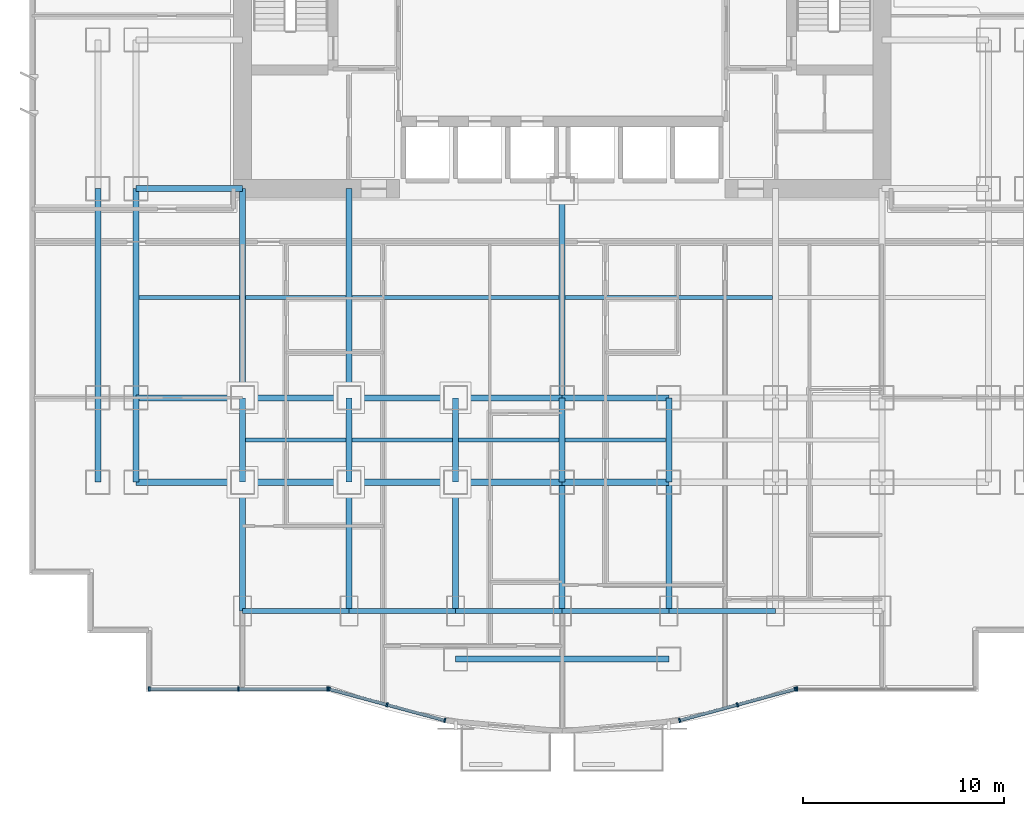
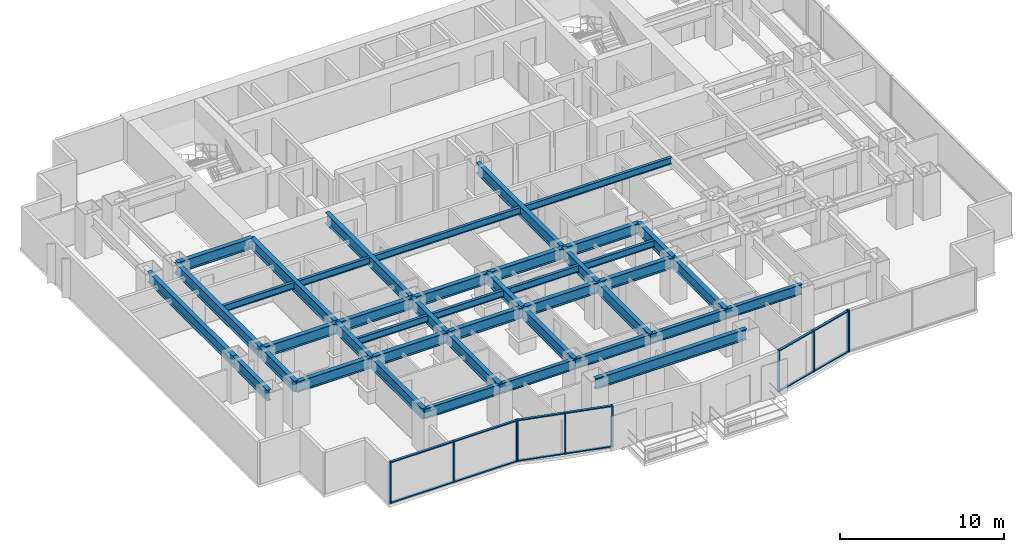
# One storey, part 2 of 12: 42 beams, 22 members, 4 elements without a shape of their own.
"""IFC4 building model written with IfcOpenShell, lengths in metres."""

from ifc_helpers import new_model, si_unit, direction, frame, origin, origin_2d, place, context, subcontext, project, spatial, rectangle, i_section, extrude, source, transform, mapped, material, layer, layer_set, material_profile, profile_set, type_object, element, aggregate, save


model = new_model("IFC4")

# Units and contexts
model_context = context("Model", 3, precision=1e-05, world=origin(), true_north=direction((0.0, 1.0)))
body_context = subcontext(model_context, "Body", "Model", "MODEL_VIEW")
ifc_project = project(units=[si_unit("LENGTHUNIT", "METRE"), si_unit("AREAUNIT", "SQUARE_METRE"), si_unit("VOLUMEUNIT", "CUBIC_METRE"), si_unit("PLANEANGLEUNIT", "RADIAN"), si_unit("MASSUNIT", "GRAM", prefix="KILO")], contexts=[model_context])

# Site, building, storey
site_placement = place(None, origin())
site = spatial("IfcSite", under=ifc_project, at=site_placement, CompositionType="ELEMENT")
building_placement = place(site_placement, origin())
building = spatial("IfcBuilding", under=site, at=building_placement, Name="Qianlan Lanfeng Residences", CompositionType="ELEMENT")
storey_placement = place(building_placement, frame((0.0, 0.0, 47.300048828125)))
storey = spatial("IfcBuildingStorey", under=building, at=storey_placement, Name="L12", CompositionType="ELEMENT", Elevation=47.300048828125)

# Beams
ifc_material_1 = material(Name="Steel SN490B", Category="steel")
ifc_material_profile_1 = material_profile(ifc_material_1, i_section(OverallWidth=0.300048828125, OverallDepth=0.800048828125, WebThickness=0.01611328125, FlangeThickness=0.028076171875, at=origin_2d()), Name="H 800x300x16x28")
ifc_profile_set_1 = profile_set([ifc_material_profile_1], Name="Steel SN490B")
beam_type_1 = type_object("IfcBeamType", Name="G-950", PredefinedType="BEAM", material=ifc_profile_set_1)
beam_1_placement = place(storey_placement, frame((21.199951171875, 1.800048828125, 2.679931640625), z_axis=(1.0, 0.0, 0.0), x_axis=(0.0, 1.0, 0.0)))
element("IfcBeam", 1, at=beam_1_placement, inside=storey, type_object=beam_type_1, Name="Structural beam G-950", PredefinedType="BEAM", context=body_context, shape_type="SweptSolid", body=[
    extrude(i_section(OverallWidth=0.300048828125, OverallDepth=0.800048828125, WebThickness=0.01611328125, FlangeThickness=0.028076171875, at=origin_2d()), origin(), (0.0, 0.0, 1.0), 10.60009765625),
])
beam_2_placement = place(storey_placement, frame((5.300048828125, 10.60009765625, 2.679931640625), z_axis=(1.0, 0.0, 0.0), x_axis=(0.0, 1.0, 0.0)))
element("IfcBeam", 2, at=beam_2_placement, inside=storey, type_object=beam_type_1, Name="Structural beam G-950", PredefinedType="BEAM", context=body_context, shape_type="SweptSolid", body=[
    extrude(i_section(OverallWidth=0.300048828125, OverallDepth=0.800048828125, WebThickness=0.01611328125, FlangeThickness=0.028076171875, at=origin_2d()), origin(), (0.0, 0.0, 1.0), 5.300048828125),
])
beam_3_placement = place(storey_placement, frame((10.60009765625, 10.60009765625, 2.679931640625), z_axis=(1.0, 0.0, 0.0), x_axis=(0.0, 1.0, 0.0)))
element("IfcBeam", 3, at=beam_3_placement, inside=storey, type_object=beam_type_1, Name="Structural beam G-950", PredefinedType="BEAM", context=body_context, shape_type="SweptSolid", body=[
    extrude(i_section(OverallWidth=0.300048828125, OverallDepth=0.800048828125, WebThickness=0.01611328125, FlangeThickness=0.028076171875, at=origin_2d()), origin(), (0.0, 0.0, 1.0), 5.2998046875),
])
for number, where, z_axis, x_axis, name in (
    (4, (15.89990234375, 10.60009765625, 2.679931640625), (1.0, 0.0, 0.0), (0.0, 1.0, 0.0), "Structural beam G-950"),
    (5, (21.199951171875, 10.60009765625, 2.679931640625), (1.0, 0.0, 0.0), (0.0, 1.0, 0.0), "Structural beam G-950"),
    (6, (26.5, 10.60009765625, 2.679931640625), (1.0, 0.0, 0.0), (0.0, 1.0, 0.0), "Structural beam G-950"),
    (7, (5.300048828125, 14.800048828125, 2.679931640625), (1.0, 0.0, 0.0), (0.0, 1.0, 0.0), "Structural beam G-950"),
):
    element("IfcBeam", number, at=place(storey_placement, frame(where, z_axis=z_axis, x_axis=x_axis)), inside=storey, type_object=beam_type_1, Name=name, PredefinedType="BEAM", context=body_context, shape_type="SweptSolid", body=[
        extrude(i_section(OverallWidth=0.300048828125, OverallDepth=0.800048828125, WebThickness=0.01611328125, FlangeThickness=0.028076171875, at=origin_2d()), origin(), (0.0, 0.0, 1.0), 5.300048828125),
    ])
beam_4_placement = place(storey_placement, frame((10.60009765625, 14.800048828125, 2.679931640625), z_axis=(1.0, 0.0, 0.0), x_axis=(0.0, 1.0, 0.0)))
element("IfcBeam", 8, at=beam_4_placement, inside=storey, type_object=beam_type_1, Name="Structural beam G-950", PredefinedType="BEAM", context=body_context, shape_type="SweptSolid", body=[
    extrude(i_section(OverallWidth=0.300048828125, OverallDepth=0.800048828125, WebThickness=0.01611328125, FlangeThickness=0.028076171875, at=origin_2d()), origin(), (0.0, 0.0, 1.0), 5.2998046875),
])
for number, where, z_axis, x_axis, name in (
    (9, (15.89990234375, 14.800048828125, 2.679931640625), (1.0, 0.0, 0.0), (0.0, 1.0, 0.0), "Structural beam G-950"),
    (10, (21.199951171875, 14.800048828125, 2.679931640625), (1.0, 0.0, 0.0), (0.0, 1.0, 0.0), "Structural beam G-950"),
    (11, (26.5, 14.800048828125, 2.679931640625), (1.0, 0.0, 0.0), (0.0, 1.0, 0.0), "Structural beam G-950"),
    (12, (5.300048828125, 25.199951171875, 2.679931640625), (1.0, 0.0, 0.0), (0.0, 1.0, 0.0), "Structural beam G-950"),
):
    element("IfcBeam", number, at=place(storey_placement, frame(where, z_axis=z_axis, x_axis=x_axis)), inside=storey, type_object=beam_type_1, Name=name, PredefinedType="BEAM", context=body_context, shape_type="SweptSolid", body=[
        extrude(i_section(OverallWidth=0.300048828125, OverallDepth=0.800048828125, WebThickness=0.01611328125, FlangeThickness=0.028076171875, at=origin_2d()), origin(), (0.0, 0.0, 1.0), 5.300048828125),
    ])
beam_5_placement = place(storey_placement, frame((3.39990234375, 10.60009765625, 2.679931640625), z_axis=(0.0, 1.0, 0.0), x_axis=(-1.0, 0.0, 0.0)))
element("IfcBeam", 13, at=beam_5_placement, inside=storey, type_object=beam_type_1, Name="Structural beam G-950", PredefinedType="BEAM", context=body_context, shape_type="SweptSolid", body=[
    extrude(i_section(OverallWidth=0.300048828125, OverallDepth=0.800048828125, WebThickness=0.01611328125, FlangeThickness=0.028076171875, at=origin_2d()), origin(), (0.0, 0.0, 1.0), 4.199951171875),
])
beam_6_placement = place(storey_placement, frame((3.39990234375, 14.800048828125, 2.679931640625), z_axis=(0.0, 1.0, 0.0), x_axis=(-1.0, 0.0, 0.0)))
element("IfcBeam", 14, at=beam_6_placement, inside=storey, type_object=beam_type_1, Name="Structural beam G-950", PredefinedType="BEAM", context=body_context, shape_type="SweptSolid", body=[
    extrude(i_section(OverallWidth=0.300048828125, OverallDepth=0.800048828125, WebThickness=0.01611328125, FlangeThickness=0.028076171875, at=origin_2d()), origin(), (0.0, 0.0, 1.0), 10.39990234375),
])
beam_7_placement = place(storey_placement, frame((5.300048828125, 10.60009765625, 2.679931640625), z_axis=(0.0, 1.0, 0.0), x_axis=(-1.0, 0.0, 0.0)))
element("IfcBeam", 15, at=beam_7_placement, inside=storey, type_object=beam_type_1, Name="Structural beam G-950", PredefinedType="BEAM", context=body_context, shape_type="SweptSolid", body=[
    extrude(i_section(OverallWidth=0.300048828125, OverallDepth=0.800048828125, WebThickness=0.01611328125, FlangeThickness=0.028076171875, at=origin_2d()), origin(), (0.0, 0.0, 1.0), 4.199951171875),
])
beam_8_placement = place(storey_placement, frame((5.300048828125, 14.800048828125, 2.679931640625), z_axis=(0.0, 1.0, 0.0), x_axis=(-1.0, 0.0, 0.0)))
element("IfcBeam", 16, at=beam_8_placement, inside=storey, type_object=beam_type_1, Name="Structural beam G-950", PredefinedType="BEAM", context=body_context, shape_type="SweptSolid", body=[
    extrude(i_section(OverallWidth=0.300048828125, OverallDepth=0.800048828125, WebThickness=0.01611328125, FlangeThickness=0.028076171875, at=origin_2d()), origin(), (0.0, 0.0, 1.0), 10.39990234375),
])
beam_9_placement = place(storey_placement, frame((10.60009765625, 4.199951171875, 2.679931640625), z_axis=(0.0, 1.0, 0.0), x_axis=(-1.0, 0.0, 0.0)))
element("IfcBeam", 17, at=beam_9_placement, inside=storey, type_object=beam_type_1, Name="Structural beam G-950", PredefinedType="BEAM", context=body_context, shape_type="SweptSolid", body=[
    extrude(i_section(OverallWidth=0.300048828125, OverallDepth=0.800048828125, WebThickness=0.01611328125, FlangeThickness=0.028076171875, at=origin_2d()), origin(), (0.0, 0.0, 1.0), 6.400146484375),
])
beam_10_placement = place(storey_placement, frame((10.60009765625, 10.60009765625, 2.679931640625), z_axis=(0.0, 1.0, 0.0), x_axis=(-1.0, 0.0, 0.0)))
element("IfcBeam", 18, at=beam_10_placement, inside=storey, type_object=beam_type_1, Name="Structural beam G-950", PredefinedType="BEAM", context=body_context, shape_type="SweptSolid", body=[
    extrude(i_section(OverallWidth=0.300048828125, OverallDepth=0.800048828125, WebThickness=0.01611328125, FlangeThickness=0.028076171875, at=origin_2d()), origin(), (0.0, 0.0, 1.0), 4.199951171875),
])
beam_11_placement = place(storey_placement, frame((10.60009765625, 14.800048828125, 2.679931640625), z_axis=(0.0, 1.0, 0.0), x_axis=(-1.0, 0.0, 0.0)))
element("IfcBeam", 19, at=beam_11_placement, inside=storey, type_object=beam_type_1, Name="Structural beam G-950", PredefinedType="BEAM", context=body_context, shape_type="SweptSolid", body=[
    extrude(i_section(OverallWidth=0.300048828125, OverallDepth=0.800048828125, WebThickness=0.01611328125, FlangeThickness=0.028076171875, at=origin_2d()), origin(), (0.0, 0.0, 1.0), 10.39990234375),
])
beam_12_placement = place(storey_placement, frame((15.89990234375, 4.199951171875, 2.679931640625), z_axis=(0.0, 1.0, 0.0), x_axis=(-1.0, 0.0, 0.0)))
element("IfcBeam", 20, at=beam_12_placement, inside=storey, type_object=beam_type_1, Name="Structural beam G-950", PredefinedType="BEAM", context=body_context, shape_type="SweptSolid", body=[
    extrude(i_section(OverallWidth=0.300048828125, OverallDepth=0.800048828125, WebThickness=0.01611328125, FlangeThickness=0.028076171875, at=origin_2d()), origin(), (0.0, 0.0, 1.0), 6.400146484375),
])
beam_13_placement = place(storey_placement, frame((15.89990234375, 10.60009765625, 2.679931640625), z_axis=(0.0, 1.0, 0.0), x_axis=(-1.0, 0.0, 0.0)))
element("IfcBeam", 21, at=beam_13_placement, inside=storey, type_object=beam_type_1, Name="Structural beam G-950", PredefinedType="BEAM", context=body_context, shape_type="SweptSolid", body=[
    extrude(i_section(OverallWidth=0.300048828125, OverallDepth=0.800048828125, WebThickness=0.01611328125, FlangeThickness=0.028076171875, at=origin_2d()), origin(), (0.0, 0.0, 1.0), 4.199951171875),
])
beam_14_placement = place(storey_placement, frame((15.89990234375, 14.800048828125, 2.679931640625), z_axis=(0.0, 1.0, 0.0), x_axis=(-1.0, 0.0, 0.0)))
element("IfcBeam", 22, at=beam_14_placement, inside=storey, type_object=beam_type_1, Name="Structural beam G-950", PredefinedType="BEAM", context=body_context, shape_type="SweptSolid", body=[
    extrude(i_section(OverallWidth=0.300048828125, OverallDepth=0.800048828125, WebThickness=0.01611328125, FlangeThickness=0.028076171875, at=origin_2d()), origin(), (0.0, 0.0, 1.0), 10.39990234375),
])
beam_15_placement = place(storey_placement, frame((21.199951171875, 4.199951171875, 2.679931640625), z_axis=(0.0, 1.0, 0.0), x_axis=(-1.0, 0.0, 0.0)))
element("IfcBeam", 23, at=beam_15_placement, inside=storey, type_object=beam_type_1, Name="Structural beam G-950", PredefinedType="BEAM", context=body_context, shape_type="SweptSolid", body=[
    extrude(i_section(OverallWidth=0.300048828125, OverallDepth=0.800048828125, WebThickness=0.01611328125, FlangeThickness=0.028076171875, at=origin_2d()), origin(), (0.0, 0.0, 1.0), 6.400146484375),
])
beam_16_placement = place(storey_placement, frame((21.199951171875, 10.60009765625, 2.679931640625), z_axis=(0.0, 1.0, 0.0), x_axis=(-1.0, 0.0, 0.0)))
element("IfcBeam", 24, at=beam_16_placement, inside=storey, type_object=beam_type_1, Name="Structural beam G-950", PredefinedType="BEAM", context=body_context, shape_type="SweptSolid", body=[
    extrude(i_section(OverallWidth=0.300048828125, OverallDepth=0.800048828125, WebThickness=0.01611328125, FlangeThickness=0.028076171875, at=origin_2d()), origin(), (0.0, 0.0, 1.0), 4.199951171875),
])
beam_17_placement = place(storey_placement, frame((26.5, 4.199951171875, 2.679931640625), z_axis=(0.0, 1.0, 0.0), x_axis=(-1.0, 0.0, 0.0)))
element("IfcBeam", 25, at=beam_17_placement, inside=storey, type_object=beam_type_1, Name="Structural beam G-950", PredefinedType="BEAM", context=body_context, shape_type="SweptSolid", body=[
    extrude(i_section(OverallWidth=0.300048828125, OverallDepth=0.800048828125, WebThickness=0.01611328125, FlangeThickness=0.028076171875, at=origin_2d()), origin(), (0.0, 0.0, 1.0), 6.400146484375),
])
beam_18_placement = place(storey_placement, frame((26.5, 10.60009765625, 2.679931640625), z_axis=(0.0, 1.0, 0.0), x_axis=(-1.0, 0.0, 0.0)))
element("IfcBeam", 26, at=beam_18_placement, inside=storey, type_object=beam_type_1, Name="Structural beam G-950", PredefinedType="BEAM", context=body_context, shape_type="SweptSolid", body=[
    extrude(i_section(OverallWidth=0.300048828125, OverallDepth=0.800048828125, WebThickness=0.01611328125, FlangeThickness=0.028076171875, at=origin_2d()), origin(), (0.0, 0.0, 1.0), 4.199951171875),
])
beam_19_placement = place(storey_placement, frame((26.5, 14.800048828125, 2.679931640625), z_axis=(0.0, 1.0, 0.0), x_axis=(-1.0, 0.0, 0.0)))
element("IfcBeam", 27, at=beam_19_placement, inside=storey, type_object=beam_type_1, Name="Structural beam G-950", PredefinedType="BEAM", context=body_context, shape_type="SweptSolid", body=[
    extrude(i_section(OverallWidth=0.300048828125, OverallDepth=0.800048828125, WebThickness=0.01611328125, FlangeThickness=0.028076171875, at=origin_2d()), origin(), (0.0, 0.0, 1.0), 10.39990234375),
])
beam_20_placement = place(storey_placement, frame((31.800048828125, 4.199951171875, 2.679931640625), z_axis=(0.0, 1.0, 0.0), x_axis=(-1.0, 0.0, 0.0)))
element("IfcBeam", 28, at=beam_20_placement, inside=storey, type_object=beam_type_1, Name="Structural beam G-950", PredefinedType="BEAM", context=body_context, shape_type="SweptSolid", body=[
    extrude(i_section(OverallWidth=0.300048828125, OverallDepth=0.800048828125, WebThickness=0.01611328125, FlangeThickness=0.028076171875, at=origin_2d()), origin(), (0.0, 0.0, 1.0), 6.400146484375),
])
beam_21_placement = place(storey_placement, frame((31.800048828125, 10.60009765625, 2.679931640625), z_axis=(0.0, 1.0, 0.0), x_axis=(-1.0, 0.0, 0.0)))
element("IfcBeam", 29, at=beam_21_placement, inside=storey, type_object=beam_type_1, Name="Structural beam G-950", PredefinedType="BEAM", context=body_context, shape_type="SweptSolid", body=[
    extrude(i_section(OverallWidth=0.300048828125, OverallDepth=0.800048828125, WebThickness=0.01611328125, FlangeThickness=0.028076171875, at=origin_2d()), origin(), (0.0, 0.0, 1.0), 4.199951171875),
])
ifc_material_profile_2 = material_profile(ifc_material_1, i_section(OverallWidth=0.199951171875, OverallDepth=0.5, WebThickness=0.010009765625, FlangeThickness=0.01611328125, at=origin_2d()), Name="H 500x200x10x16")
ifc_profile_set_2 = profile_set([ifc_material_profile_2], Name="Steel SN490B")
beam_type_2 = type_object("IfcBeamType", Name="J-500", PredefinedType="JOIST", material=ifc_profile_set_2)
for number, where, z_axis, x_axis, name in (
    (30, (10.75, 12.699951171875, 2.829833984375), (1.0, 0.0, 0.0), (0.0, 1.0, 0.0), "Structural beam J-500"),
    (31, (16.050048828125, 12.699951171875, 2.829833984375), (1.0, 0.0, 0.0), (0.0, 1.0, 0.0), "Structural beam J-500"),
    (32, (21.35009765625, 12.699951171875, 2.829833984375), (1.0, 0.0, 0.0), (0.0, 1.0, 0.0), "Structural beam J-500"),
    (33, (26.64990234375, 12.699951171875, 2.829833984375), (1.0, 0.0, 0.0), (0.0, 1.0, 0.0), "Structural beam J-500"),
    (34, (5.449951171875, 19.800048828125, 2.829833984375), (1.0, 0.0, 0.0), (0.0, 1.0, 0.0), "Structural beam J-500"),
    (35, (10.75, 19.800048828125, 2.829833984375), (1.0, 0.0, 0.0), (0.0, 1.0, 0.0), "Structural beam J-500"),
):
    element("IfcBeam", number, at=place(storey_placement, frame(where, z_axis=z_axis, x_axis=x_axis)), inside=storey, type_object=beam_type_2, Name=name, PredefinedType="JOIST", context=body_context, shape_type="SweptSolid", body=[
        extrude(i_section(OverallWidth=0.199951171875, OverallDepth=0.5, WebThickness=0.010009765625, FlangeThickness=0.01611328125, at=origin_2d()), origin(), (0.0, 0.0, 1.0), 5.0),
    ])
for number, where, z_axis, x_axis, name in (
    (36, (16.050048828125, 19.800048828125, 2.829833984375), (1.0, 0.0, 0.0), (0.0, 1.0, 0.0), "Structural beam J-500"),
    (37, (26.64990234375, 19.800048828125, 2.829833984375), (1.0, 0.0, 0.0), (0.0, 1.0, 0.0), "Structural beam J-500"),
):
    element("IfcBeam", number, at=place(storey_placement, frame(where, z_axis=z_axis, x_axis=x_axis)), inside=storey, type_object=beam_type_2, Name=name, PredefinedType="JOIST", context=body_context, shape_type="SweptSolid", body=[
        extrude(i_section(OverallWidth=0.199951171875, OverallDepth=0.5, WebThickness=0.010009765625, FlangeThickness=0.01611328125, at=origin_2d()), origin(), (0.0, 0.0, 1.0), 10.300048828125),
    ])
ifc_material_profile_3 = material_profile(ifc_material_1, i_section(OverallWidth=0.25, OverallDepth=0.75, WebThickness=0.013916015625, FlangeThickness=0.02490234375, at=origin_2d()), Name="H 750x250x14x25")
ifc_profile_set_3 = profile_set([ifc_material_profile_3], Name="Steel SN490B")
beam_type_3 = type_object("IfcBeamType", Name="SG-850", PredefinedType="SPANDREL", material=ifc_profile_set_3)
beam_22_placement = place(storey_placement, frame((10.60009765625, 4.199951171875, 2.704833984375), z_axis=(1.0, 0.0, 0.0), x_axis=(0.0, 1.0, 0.0)))
element("IfcBeam", 38, at=beam_22_placement, inside=storey, type_object=beam_type_3, Name="Structural beam SG-850", PredefinedType="SPANDREL", context=body_context, shape_type="SweptSolid", body=[
    extrude(i_section(OverallWidth=0.25, OverallDepth=0.75, WebThickness=0.013916015625, FlangeThickness=0.02490234375, at=origin_2d()), origin(), (0.0, 0.0, 1.0), 5.2998046875),
])
for number, where, z_axis, x_axis, name in (
    (39, (15.89990234375, 4.199951171875, 2.704833984375), (1.0, 0.0, 0.0), (0.0, 1.0, 0.0), "Structural beam SG-850"),
    (40, (21.199951171875, 4.199951171875, 2.704833984375), (1.0, 0.0, 0.0), (0.0, 1.0, 0.0), "Structural beam SG-850"),
    (41, (26.5, 4.199951171875, 2.704833984375), (1.0, 0.0, 0.0), (0.0, 1.0, 0.0), "Structural beam SG-850"),
    (42, (31.800048828125, 4.199951171875, 2.704833984375), (1.0, 0.0, 0.0), (0.0, 1.0, 0.0), "Structural beam SG-850"),
):
    element("IfcBeam", number, at=place(storey_placement, frame(where, z_axis=z_axis, x_axis=x_axis)), inside=storey, type_object=beam_type_3, Name=name, PredefinedType="SPANDREL", context=body_context, shape_type="SweptSolid", body=[
        extrude(i_section(OverallWidth=0.25, OverallDepth=0.75, WebThickness=0.013916015625, FlangeThickness=0.02490234375, at=origin_2d()), origin(), (0.0, 0.0, 1.0), 5.300048828125),
    ])

# Curtain wall, members
ifc_material_2 = material(Name="Anodised Bronze Aluminium 6063-T6", Category="aluminium")
ifc_layer = layer(ifc_material_2, 0.219970703125)
ifc_layer_set = layer_set([ifc_layer], Name="Anodised Bronze Aluminium 6063-T6")
curtain_wall_type = type_object("IfcCurtainWallType", Name="CW-02", PredefinedType="NOTDEFINED", material=ifc_layer_set)
curtain_wall_1_placement = place(storey_placement, origin())
curtain_wall_1 = element("IfcCurtainWall", 43, at=curtain_wall_1_placement, inside=storey, type_object=curtain_wall_type, Name="L12 Unitised Curtain Wall CWR-L12-02 (CW-02)", PredefinedType="NOTDEFINED")
ifc_material_profile_4 = material_profile(ifc_material_2, rectangle(XDim=0.080078125, YDim=0.159912109375, at=origin_2d()), Name="ALU TRANSOM 80x160")
ifc_profile_set_4 = profile_set([ifc_material_profile_4], Name="Anodised Bronze Aluminium 6063-T6")
member_type_1 = type_object("IfcMemberType", Name="CWT-180", PredefinedType="USERDEFINED", material=ifc_profile_set_4)
shared_shape_1 = source(origin(), body_context, "Body", "SweptSolid", [
    extrude(rectangle(XDim=0.080078125, YDim=0.159912109375, at=origin_2d()), origin(), (0.0, 0.0, 1.0), 2.897705078125),
])
member_1_placement = place(storey_placement, frame((14.947265625, 0.299072265625, 0.0400390625), z_axis=(0.965267548724, -0.261263390817, 0.0), x_axis=(0.0, 0.0, 1.0)))
member_1 = element("IfcMember", 44, at=member_1_placement, type_object=member_type_1, Name="CWR-L12-02 Transom 1-BOT", ObjectType="TRANSOM", PredefinedType="USERDEFINED", context=body_context, shape_type="MappedRepresentation", body=[
    mapped(shared_shape_1, transform((0.0, 0.0, 0.0), scale=1.0)),
])
member_2_placement = place(storey_placement, frame((14.947265625, 0.299072265625, 3.0400390625), z_axis=(0.965267548724, -0.261263390817, 0.0), x_axis=(0.0, 0.0, 1.0)))
member_2 = element("IfcMember", 45, at=member_2_placement, type_object=member_type_1, Name="CWR-L12-02 Transom 1-TOP", ObjectType="TRANSOM", PredefinedType="USERDEFINED", context=body_context, shape_type="MappedRepresentation", body=[
    mapped(shared_shape_1, transform((0.0, 0.0, 0.0), scale=1.0)),
])

curtain_wall_2_placement = place(storey_placement, origin())
curtain_wall_2 = element("IfcCurtainWall", 46, at=curtain_wall_2_placement, inside=storey, type_object=curtain_wall_type, Name="L12 Unitised Curtain Wall CWR-L12-03 (CW-02)", PredefinedType="NOTDEFINED")
member_3_placement = place(storey_placement, frame((35.255615234375, -0.4580078125, 0.0400390625), z_axis=(0.965267548724, 0.261263390817, 0.0), x_axis=(0.0, 0.0, 1.0)))
member_3 = element("IfcMember", 47, at=member_3_placement, type_object=member_type_1, Name="CWR-L12-03 Transom 2-BOT", ObjectType="TRANSOM", PredefinedType="USERDEFINED", context=body_context, shape_type="MappedRepresentation", body=[
    mapped(shared_shape_1, transform((0.0, 0.0, 0.0), scale=1.0)),
])
member_4_placement = place(storey_placement, frame((35.255615234375, -0.4580078125, 3.0400390625), z_axis=(0.965267548724, 0.261263390817, 0.0), x_axis=(0.0, 0.0, 1.0)))
member_4 = element("IfcMember", 48, at=member_4_placement, type_object=member_type_1, Name="CWR-L12-03 Transom 2-TOP", ObjectType="TRANSOM", PredefinedType="USERDEFINED", context=body_context, shape_type="MappedRepresentation", body=[
    mapped(shared_shape_1, transform((0.0, 0.0, 0.0), scale=1.0)),
])

# Member
shared_shape_2 = source(origin(), body_context, "Body", "SweptSolid", [
    extrude(rectangle(XDim=0.080078125, YDim=0.159912109375, at=origin_2d()), origin(), (0.0, 0.0, 1.0), 2.89794921875),
])
member_5_placement = place(storey_placement, frame((17.821533203125, -0.47900390625, 0.0400390625), z_axis=(0.965273298897, -0.261242145215, 0.0), x_axis=(0.0, 0.0, 1.0)))
member_5 = element("IfcMember", 49, at=member_5_placement, type_object=member_type_1, Name="CWR-L12-02 Transom 2-BOT", ObjectType="TRANSOM", PredefinedType="USERDEFINED", context=body_context, shape_type="MappedRepresentation", body=[
    mapped(shared_shape_2, transform((0.0, 0.0, 0.0), scale=1.0)),
])

member_6_placement = place(storey_placement, frame((17.821533203125, -0.47900390625, 3.0400390625), z_axis=(0.965273298897, -0.261242145215, 0.0), x_axis=(0.0, 0.0, 1.0)))
member_6 = element("IfcMember", 50, at=member_6_placement, type_object=member_type_1, Name="CWR-L12-02 Transom 2-TOP", ObjectType="TRANSOM", PredefinedType="USERDEFINED", context=body_context, shape_type="MappedRepresentation", body=[
    mapped(shared_shape_2, transform((0.0, 0.0, 0.0), scale=1.0)),
])

member_7_placement = place(storey_placement, frame((32.381103515625, -1.236083984375, 0.0400390625), z_axis=(0.965273298897, 0.261242145215, 0.0), x_axis=(0.0, 0.0, 1.0)))
member_7 = element("IfcMember", 51, at=member_7_placement, type_object=member_type_1, Name="CWR-L12-03 Transom 1-BOT", ObjectType="TRANSOM", PredefinedType="USERDEFINED", context=body_context, shape_type="MappedRepresentation", body=[
    mapped(shared_shape_2, transform((0.0, 0.0, 0.0), scale=1.0)),
])

member_8_placement = place(storey_placement, frame((32.381103515625, -1.236083984375, 3.0400390625), z_axis=(0.965273298897, 0.261242145215, 0.0), x_axis=(0.0, 0.0, 1.0)))
member_8 = element("IfcMember", 52, at=member_8_placement, type_object=member_type_1, Name="CWR-L12-03 Transom 1-TOP", ObjectType="TRANSOM", PredefinedType="USERDEFINED", context=body_context, shape_type="MappedRepresentation", body=[
    mapped(shared_shape_2, transform((0.0, 0.0, 0.0), scale=1.0)),
])

# Curtain wall, members
curtain_wall_3_placement = place(storey_placement, origin())
curtain_wall_3 = element("IfcCurtainWall", 53, at=curtain_wall_3_placement, inside=storey, type_object=curtain_wall_type, Name="L12 Unitised Curtain Wall CWR-L12-01 (CW-02)", PredefinedType="NOTDEFINED")
shared_shape_3 = source(origin(), body_context, "Body", "SweptSolid", [
    extrude(rectangle(XDim=0.080078125, YDim=0.159912109375, at=origin_2d()), origin(), (0.0, 0.0, 1.0), 4.35498046875),
])
member_9_placement = place(storey_placement, frame((6.0, 0.320068359375, 0.0400390625), z_axis=(1.0, 0.0, 0.0), x_axis=(0.0, 0.0, 1.0)))
member_9 = element("IfcMember", 54, at=member_9_placement, type_object=member_type_1, Name="CWR-L12-01 Transom 1-BOT", ObjectType="TRANSOM", PredefinedType="USERDEFINED", context=body_context, shape_type="MappedRepresentation", body=[
    mapped(shared_shape_3, transform((0.0, 0.0, 0.0), scale=1.0)),
])
member_10_placement = place(storey_placement, frame((6.0, 0.320068359375, 3.0400390625), z_axis=(1.0, 0.0, 0.0), x_axis=(0.0, 0.0, 1.0)))
member_10 = element("IfcMember", 55, at=member_10_placement, type_object=member_type_1, Name="CWR-L12-01 Transom 1-TOP", ObjectType="TRANSOM", PredefinedType="USERDEFINED", context=body_context, shape_type="MappedRepresentation", body=[
    mapped(shared_shape_3, transform((0.0, 0.0, 0.0), scale=1.0)),
])
member_11_placement = place(storey_placement, frame((10.43505859375, 0.320068359375, 0.0400390625), z_axis=(1.0, 0.0, 0.0), x_axis=(0.0, 0.0, 1.0)))
member_11 = element("IfcMember", 56, at=member_11_placement, type_object=member_type_1, Name="CWR-L12-01 Transom 2-BOT", ObjectType="TRANSOM", PredefinedType="USERDEFINED", context=body_context, shape_type="MappedRepresentation", body=[
    mapped(shared_shape_3, transform((0.0, 0.0, 0.0), scale=1.0)),
])
member_12_placement = place(storey_placement, frame((10.43505859375, 0.320068359375, 3.0400390625), z_axis=(1.0, 0.0, 0.0), x_axis=(0.0, 0.0, 1.0)))
member_12 = element("IfcMember", 57, at=member_12_placement, type_object=member_type_1, Name="CWR-L12-01 Transom 2-TOP", ObjectType="TRANSOM", PredefinedType="USERDEFINED", context=body_context, shape_type="MappedRepresentation", body=[
    mapped(shared_shape_3, transform((0.0, 0.0, 0.0), scale=1.0)),
])
ifc_material_profile_5 = material_profile(ifc_material_2, rectangle(XDim=0.080078125, YDim=0.2099609375, at=origin_2d()), Name="ALU MULLION 80x210")
ifc_profile_set_5 = profile_set([ifc_material_profile_5], Name="Anodised Bronze Aluminium 6063-T6")
member_type_2 = type_object("IfcMemberType", Name="CWM-220", PredefinedType="MULLION", material=ifc_profile_set_5)
shared_shape_4 = source(origin(), body_context, "Body", "SweptSolid", [
    extrude(rectangle(XDim=0.080078125, YDim=0.2099609375, at=origin_2d()), origin(), (0.0, 0.0, 1.0), 3.079833984375),
])
member_13_placement = place(storey_placement, frame((5.9599609375, 0.320068359375, 0.0), z_axis=(0.0, 0.0, 1.0), x_axis=(1.0, 0.0, 0.0)))
member_13 = element("IfcMember", 58, at=member_13_placement, type_object=member_type_2, Name="CWR-L12-01 Mullion 1", PredefinedType="MULLION", context=body_context, shape_type="MappedRepresentation", body=[
    mapped(shared_shape_4, transform((0.0, 0.0, 0.0), scale=1.0)),
])
member_14_placement = place(storey_placement, frame((10.39501953125, 0.320068359375, 0.0), z_axis=(0.0, 0.0, 1.0), x_axis=(1.0, 0.0, 0.0)))
member_14 = element("IfcMember", 59, at=member_14_placement, type_object=member_type_2, Name="CWR-L12-01 Mullion 2", PredefinedType="MULLION", context=body_context, shape_type="MappedRepresentation", body=[
    mapped(shared_shape_4, transform((0.0, 0.0, 0.0), scale=1.0)),
])
member_15_placement = place(storey_placement, frame((14.830078125, 0.320068359375, 0.0), z_axis=(0.0, 0.0, 1.0), x_axis=(1.0, 0.0, 0.0)))
member_15 = element("IfcMember", 60, at=member_15_placement, type_object=member_type_2, Name="CWR-L12-01 Mullion 3", PredefinedType="MULLION", context=body_context, shape_type="MappedRepresentation", body=[
    mapped(shared_shape_4, transform((0.0, 0.0, 0.0), scale=1.0)),
])
aggregate(curtain_wall_3, [member_13, member_14, member_15, member_9, member_10, member_11, member_12])

# Member
member_16_placement = place(storey_placement, frame((14.90869140625, 0.3095703125, 0.0), z_axis=(0.0, 0.0, 1.0), x_axis=(0.9652627173, -0.261281240412, 0.0)))
member_16 = element("IfcMember", 61, at=member_16_placement, type_object=member_type_2, Name="CWR-L12-02 Mullion 1", PredefinedType="MULLION", context=body_context, shape_type="MappedRepresentation", body=[
    mapped(shared_shape_4, transform((0.0, 0.0, 0.0), scale=1.0)),
])

member_17_placement = place(storey_placement, frame((17.782958984375, -0.468505859375, 0.0), z_axis=(0.0, 0.0, 1.0), x_axis=(0.9652627173, -0.261281240412, 0.0)))
member_17 = element("IfcMember", 62, at=member_17_placement, type_object=member_type_2, Name="CWR-L12-02 Mullion 2", PredefinedType="MULLION", context=body_context, shape_type="MappedRepresentation", body=[
    mapped(shared_shape_4, transform((0.0, 0.0, 0.0), scale=1.0)),
])

member_18_placement = place(storey_placement, frame((20.657470703125, -1.24658203125, 0.0), z_axis=(0.0, 0.0, 1.0), x_axis=(0.9652627173, -0.261281240412, 0.0)))
member_18 = element("IfcMember", 63, at=member_18_placement, type_object=member_type_2, Name="CWR-L12-02 Mullion 3", PredefinedType="MULLION", context=body_context, shape_type="MappedRepresentation", body=[
    mapped(shared_shape_4, transform((0.0, 0.0, 0.0), scale=1.0)),
])

aggregate(curtain_wall_1, [member_16, member_17, member_18, member_1, member_2, member_5, member_6])

member_19_placement = place(storey_placement, frame((32.342529296875, -1.24658203125, 0.0), z_axis=(0.0, 0.0, 1.0), x_axis=(0.9652627173, 0.261281240412, 0.0)))
member_19 = element("IfcMember", 64, at=member_19_placement, type_object=member_type_2, Name="CWR-L12-03 Mullion 1", PredefinedType="MULLION", context=body_context, shape_type="MappedRepresentation", body=[
    mapped(shared_shape_4, transform((0.0, 0.0, 0.0), scale=1.0)),
])

member_20_placement = place(storey_placement, frame((35.217041015625, -0.468505859375, 0.0), z_axis=(0.0, 0.0, 1.0), x_axis=(0.9652627173, 0.261281240412, 0.0)))
member_20 = element("IfcMember", 65, at=member_20_placement, type_object=member_type_2, Name="CWR-L12-03 Mullion 2", PredefinedType="MULLION", context=body_context, shape_type="MappedRepresentation", body=[
    mapped(shared_shape_4, transform((0.0, 0.0, 0.0), scale=1.0)),
])

member_21_placement = place(storey_placement, frame((38.09130859375, 0.3095703125, 0.0), z_axis=(0.0, 0.0, 1.0), x_axis=(0.9652627173, 0.261281240412, 0.0)))
member_21 = element("IfcMember", 66, at=member_21_placement, type_object=member_type_2, Name="CWR-L12-03 Mullion 3", PredefinedType="MULLION", context=body_context, shape_type="MappedRepresentation", body=[
    mapped(shared_shape_4, transform((0.0, 0.0, 0.0), scale=1.0)),
])

aggregate(curtain_wall_2, [member_19, member_20, member_21, member_7, member_8, member_3, member_4])

# Curtain wall, member
curtain_wall_4_placement = place(storey_placement, origin())
curtain_wall_4 = element("IfcCurtainWall", 67, at=curtain_wall_4_placement, inside=storey, type_object=curtain_wall_type, Name="L12 Unitised Curtain Wall CWR-L12-04 (CW-02)", PredefinedType="NOTDEFINED")
member_22_placement = place(storey_placement, frame((38.169921875, 0.320068359375, 0.0), z_axis=(0.0, 0.0, 1.0), x_axis=(1.0, 0.0, 0.0)))
member_22 = element("IfcMember", 68, at=member_22_placement, type_object=member_type_2, Name="CWR-L12-04 Mullion 1", PredefinedType="MULLION", context=body_context, shape_type="MappedRepresentation", body=[
    mapped(shared_shape_4, transform((0.0, 0.0, 0.0), scale=1.0)),
])
aggregate(curtain_wall_4, [member_22])

save(model, "model.ifc")
